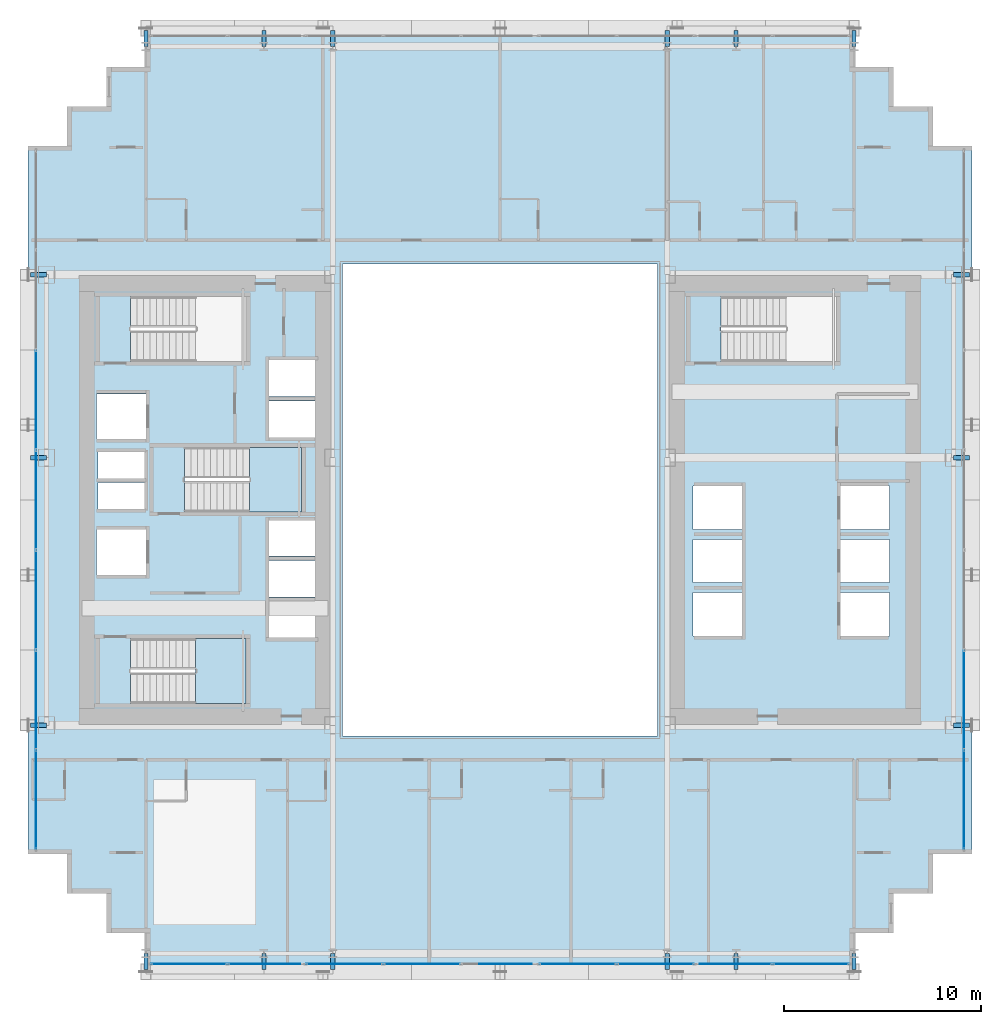
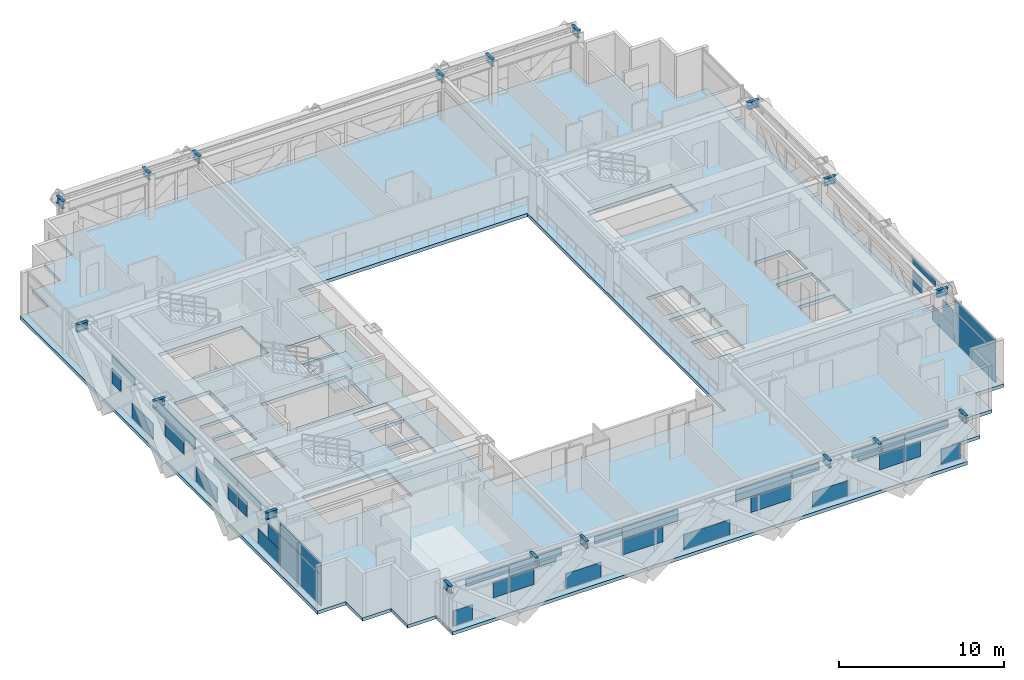
# One storey, part 23 of 35: 41 plates, 18 beams, 3 slabs, 5 elements without a shape of their own.
"""IFC4 building model written with IfcOpenShell, lengths in metres."""

from ifc_helpers import new_model, si_unit, direction, frame, origin, origin_2d, place, context, subcontext, project, spatial, polyline, rectangle, i_section, outline, extrude, source, transform, mapped, material, layer, layer_set, material_profile, profile_set, type_object, element, aggregate, save


model = new_model("IFC4")

# Units and contexts
model_context = context("Model", 3, precision=1e-05, world=origin(), true_north=direction((0.0, 1.0)))
body_context = subcontext(model_context, "Body", "Model", "MODEL_VIEW")
ifc_project = project(units=[si_unit("LENGTHUNIT", "METRE"), si_unit("AREAUNIT", "SQUARE_METRE"), si_unit("VOLUMEUNIT", "CUBIC_METRE"), si_unit("PLANEANGLEUNIT", "RADIAN"), si_unit("MASSUNIT", "GRAM", prefix="KILO")], contexts=[model_context])

# Site, building, storey
site_placement = place(None, origin())
site = spatial("IfcSite", under=ifc_project, at=site_placement, CompositionType="ELEMENT")
building_placement = place(site_placement, origin())
building = spatial("IfcBuilding", under=site, at=building_placement, Name="Ocotamira Hotel", CompositionType="ELEMENT")
storey_placement = place(building_placement, frame((0.0, 0.0, 81.60009765625)))
storey = spatial("IfcBuildingStorey", under=building, at=storey_placement, Name="L20", CompositionType="ELEMENT", Elevation=81.60009765625)

# Beams
ifc_material_1 = material(Name="Steel ASTM A992 Grade 50", Category="steel")
ifc_material_profile = material_profile(ifc_material_1, i_section(OverallWidth=0.2099609375, OverallDepth=0.537109375, WebThickness=0.010986328125, FlangeThickness=0.017333984375, FilletRadius=0.012939453125, at=origin_2d()), Name="W21X68")
ifc_profile_set = profile_set([ifc_material_profile], Name="Steel ASTM A992 Grade 50")
beam_type = type_object("IfcBeamType", Name="BM-SEC-W21X68", PredefinedType="JOIST", material=ifc_profile_set)
shared_shape_1 = source(origin(), body_context, "Body", "SweptSolid", [
    extrude(i_section(OverallWidth=0.2099609375, OverallDepth=0.537109375, WebThickness=0.010986328125, FlangeThickness=0.017333984375, FilletRadius=0.012939453125, at=origin_2d()), origin(), (0.0, 0.0, 1.0), 0.800048828125),
])
for number, where, z_axis, x_axis, name in (
    (1, (14.0, 2.949951171875, 3.011474609375), (0.0, -1.0, 0.0), (1.0, 0.0, 0.0), "L20 South Edge Header X14"),
    (2, (14.0, 49.050048828125, 3.011474609375), (0.0, 1.0, 0.0), (-1.0, 0.0, 0.0), "L20 North Edge Header X14"),
    (3, (20.0, 2.949951171875, 3.011474609375), (0.0, -1.0, 0.0), (1.0, 0.0, 0.0), "L20 South Edge Header X20"),
    (4, (20.0, 49.050048828125, 3.011474609375), (0.0, 1.0, 0.0), (-1.0, 0.0, 0.0), "L20 North Edge Header X20"),
    (5, (23.5, 2.949951171875, 3.011474609375), (0.0, -1.0, 0.0), (1.0, 0.0, 0.0), "L20 South Edge Header X23.5"),
    (6, (23.5, 49.050048828125, 3.011474609375), (0.0, 1.0, 0.0), (-1.0, 0.0, 0.0), "L20 North Edge Header X23.5"),
    (7, (40.5, 2.949951171875, 3.011474609375), (0.0, -1.0, 0.0), (1.0, 0.0, 0.0), "L20 South Edge Header X40.5"),
    (8, (40.5, 49.050048828125, 3.011474609375), (0.0, 1.0, 0.0), (-1.0, 0.0, 0.0), "L20 North Edge Header X40.5"),
    (9, (44.0, 2.949951171875, 3.011474609375), (0.0, -1.0, 0.0), (1.0, 0.0, 0.0), "L20 South Edge Header X44"),
    (10, (44.0, 49.050048828125, 3.011474609375), (0.0, 1.0, 0.0), (-1.0, 0.0, 0.0), "L20 North Edge Header X44"),
    (11, (50.0, 2.949951171875, 3.011474609375), (0.0, -1.0, 0.0), (1.0, 0.0, 0.0), "L20 South Edge Header X50"),
    (12, (50.0, 49.050048828125, 3.011474609375), (0.0, 1.0, 0.0), (-1.0, 0.0, 0.0), "L20 North Edge Header X50"),
    (13, (8.949951171875, 14.550048828125, 3.011474609375), (-1.0, 0.0, 0.0), (0.0, -1.0, 0.0), "L20 West Edge Header Y14.55"),
    (14, (55.050048828125, 14.550048828125, 3.011474609375), (1.0, 0.0, 0.0), (0.0, 1.0, 0.0), "L20 East Edge Header Y14.55"),
    (15, (8.949951171875, 28.14990234375, 3.011474609375), (-1.0, 0.0, 0.0), (0.0, -1.0, 0.0), "L20 West Edge Header Y28.15"),
    (16, (55.050048828125, 28.14990234375, 3.011474609375), (1.0, 0.0, 0.0), (0.0, 1.0, 0.0), "L20 East Edge Header Y28.15"),
    (17, (8.949951171875, 37.449951171875, 3.011474609375), (-1.0, 0.0, 0.0), (0.0, -1.0, 0.0), "L20 West Edge Header Y37.45"),
    (18, (55.050048828125, 37.449951171875, 3.011474609375), (1.0, 0.0, 0.0), (0.0, 1.0, 0.0), "L20 East Edge Header Y37.45"),
):
    element("IfcBeam", number, at=place(storey_placement, frame(where, z_axis=z_axis, x_axis=x_axis)), inside=storey, type_object=beam_type, Name=name, PredefinedType="JOIST", context=body_context, shape_type="MappedRepresentation", body=[
        mapped(shared_shape_1, transform((0.0, 0.0, 0.0), scale=1.0)),
    ])

# Stair, slab
ifc_material_2 = material(Name="Concrete C40/50", Category="concrete")
stair_type = type_object("IfcStairType", Name="ST-CORE-1560", PredefinedType="HALF_TURN_STAIR", material=ifc_material_2)
stair_1_placement = place(storey_placement, origin())
stair_1 = element("IfcStair", 19, at=stair_1_placement, inside=storey, type_object=stair_type, Name="L20 Exit Stair ST-1", PredefinedType="HALF_TURN_STAIR")
ifc_layer_1 = layer(ifc_material_2, 0.199951171875)
ifc_layer_set_1 = layer_set([ifc_layer_1], Name="Concrete C40/50")
slab_type_1 = type_object("IfcSlabType", Name="SLB-LAND-200", PredefinedType="LANDING", material=ifc_layer_set_1)
slab_1_placement = place(storey_placement, frame((0.0, 0.0, 1.599853515625)))
slab_1 = element("IfcSlab", 20, at=slab_1_placement, type_object=slab_type_1, Name="ST-1 landing 1", PredefinedType="LANDING", context=body_context, shape_type="SweptSolid", body=[
    extrude(outline(polyline([(16.530029296875, 15.669921875), (19.090087890625, 15.669921875), (19.090087890625, 18.949951171875), (16.530029296875, 18.949951171875), (16.530029296875, 15.669921875)])), origin(), (0.0, 0.0, 1.0), 0.199951171875),
])
aggregate(stair_1, [slab_1])

stair_2_placement = place(storey_placement, origin())
stair_2 = element("IfcStair", 21, at=stair_2_placement, inside=storey, type_object=stair_type, Name="L20 Exit Stair ST-3", PredefinedType="HALF_TURN_STAIR")
slab_2_placement = place(storey_placement, frame((0.0, 0.0, 1.599853515625)))
slab_2 = element("IfcSlab", 22, at=slab_2_placement, type_object=slab_type_1, Name="ST-3 landing 1", PredefinedType="LANDING", context=body_context, shape_type="SweptSolid", body=[
    extrude(outline(polyline([(19.260009765625, 25.39990234375), (21.919921875, 25.39990234375), (21.919921875, 28.679931640625), (19.260009765625, 28.679931640625), (19.260009765625, 25.39990234375)])), origin(), (0.0, 0.0, 1.0), 0.199951171875),
])
aggregate(stair_2, [slab_2])

# Slab
ifc_layer_2 = layer(ifc_material_2, 0.25)
ifc_layer_set_2 = layer_set([ifc_layer_2], Name="Concrete C40/50")
slab_type_2 = type_object("IfcSlabType", Name="SLB-Z1-250", PredefinedType="FLOOR", material=ifc_layer_set_2)
slab_3_placement = place(storey_placement, frame((0.0, 0.0, -0.25)))
element("IfcSlab", 23, at=slab_3_placement, inside=storey, type_object=slab_type_2, Name="L20 Structural Floor Slab", PredefinedType="FLOOR", context=body_context, shape_type="SweptSolid", body=[
    extrude(outline(polyline([(14.0, 2.0), (50.0, 2.0), (50.0, 4.0), (52.0, 4.0), (52.0, 6.0), (54.0, 6.0), (54.0, 8.0), (56.0, 8.0), (56.0, 44.0), (54.0, 44.0), (54.0, 46.0), (52.0, 46.0), (52.0, 48.0), (50.0, 48.0), (50.0, 50.0), (14.0, 50.0), (14.0, 48.0), (12.0, 48.0), (12.0, 46.0), (10.0, 46.0), (10.0, 44.0), (8.0, 44.0), (8.0, 8.0), (10.0, 8.0), (10.0, 6.0), (12.0, 6.0), (12.0, 4.0), (14.0, 4.0), (14.0, 2.0)]), holes=[polyline([(24.0, 14.0), (40.0, 14.0), (40.0, 38.0), (24.0, 38.0), (24.0, 14.0)]), polyline([(13.22998046875, 15.669921875), (19.090087890625, 15.669921875), (19.090087890625, 18.949951171875), (13.22998046875, 18.949951171875), (13.22998046875, 15.669921875)]), polyline([(13.22998046875, 33.050048828125), (19.090087890625, 33.050048828125), (19.090087890625, 36.330078125), (13.22998046875, 36.330078125), (13.22998046875, 33.050048828125)]), polyline([(15.9599609375, 25.39990234375), (21.919921875, 25.39990234375), (21.919921875, 28.679931640625), (15.9599609375, 28.679931640625), (15.9599609375, 25.39990234375)]), polyline([(43.22998046875, 33.050048828125), (49.090087890625, 33.050048828125), (49.090087890625, 36.330078125), (43.22998046875, 36.330078125), (43.22998046875, 33.050048828125)]), polyline([(49.300048828125, 19.10009765625), (51.800048828125, 19.10009765625), (51.800048828125, 21.300048828125), (49.300048828125, 21.300048828125), (49.300048828125, 19.10009765625)]), polyline([(49.300048828125, 21.800048828125), (51.800048828125, 21.800048828125), (51.800048828125, 24.0), (49.300048828125, 24.0), (49.300048828125, 21.800048828125)]), polyline([(49.300048828125, 24.5), (51.800048828125, 24.5), (51.800048828125, 26.699951171875), (49.300048828125, 26.699951171875), (49.300048828125, 24.5)]), polyline([(41.800048828125, 19.10009765625), (44.300048828125, 19.10009765625), (44.300048828125, 21.300048828125), (41.800048828125, 21.300048828125), (41.800048828125, 19.10009765625)]), polyline([(41.800048828125, 21.800048828125), (44.300048828125, 21.800048828125), (44.300048828125, 24.0), (41.800048828125, 24.0), (41.800048828125, 21.800048828125)]), polyline([(41.800048828125, 24.5), (44.300048828125, 24.5), (44.300048828125, 26.699951171875), (41.800048828125, 26.699951171875), (41.800048828125, 24.5)]), polyline([(20.25, 19.0), (22.659912109375, 19.0), (22.659912109375, 20.85009765625), (20.25, 20.85009765625), (20.25, 19.0)]), polyline([(20.25, 21.080078125), (22.659912109375, 21.080078125), (22.659912109375, 22.929931640625), (20.25, 22.929931640625), (20.25, 21.080078125)]), polyline([(20.25, 23.159912109375), (22.659912109375, 23.159912109375), (22.659912109375, 24.9599609375), (20.25, 24.9599609375), (20.25, 23.159912109375)]), polyline([(20.25, 29.179931640625), (22.659912109375, 29.179931640625), (22.659912109375, 31.030029296875), (20.25, 31.030029296875), (20.25, 29.179931640625)]), polyline([(20.25, 31.260009765625), (22.659912109375, 31.260009765625), (22.659912109375, 33.110107421875), (20.25, 33.110107421875), (20.25, 31.260009765625)]), polyline([(11.5, 22.199951171875), (14.0, 22.199951171875), (14.0, 24.5), (11.5, 24.5), (11.5, 22.199951171875)]), polyline([(11.5, 29.10009765625), (14.0, 29.10009765625), (14.0, 31.39990234375), (11.5, 31.39990234375), (11.5, 29.10009765625)]), polyline([(11.580078125, 25.550048828125), (13.919921875, 25.550048828125), (13.919921875, 26.89990234375), (11.580078125, 26.89990234375), (11.580078125, 25.550048828125)]), polyline([(11.580078125, 27.10009765625), (13.919921875, 27.10009765625), (13.919921875, 28.449951171875), (11.580078125, 28.449951171875), (11.580078125, 27.10009765625)])]), origin(), (0.0, 0.0, 1.0), 0.25),
])

# Curtain wall, plate
ifc_material_3 = material(Name="Anodised pale-metal aluminium and solar glass", Category="aluminium")
ifc_layer_3 = layer(ifc_material_3, 0.179931640625)
ifc_layer_set_3 = layer_set([ifc_layer_3], Name="Anodised pale-metal aluminium and solar glass")
curtain_wall_type = type_object("IfcCurtainWallType", Name="CW-SYS2-Z1", PredefinedType="NOTDEFINED", material=ifc_layer_set_3)
curtain_wall_1_placement = place(storey_placement, origin())
curtain_wall_1 = element("IfcCurtainWall", 24, at=curtain_wall_1_placement, inside=storey, type_object=curtain_wall_type, Name="L20 Curtain Wall CW-2 CW-L20-W", PredefinedType="NOTDEFINED")
ifc_material_4 = material(Name="Double-silver low-E insulated solar glass", Category="glass")
ifc_layer_4 = layer(ifc_material_4, 0.031982421875)
ifc_layer_set_4 = layer_set([ifc_layer_4], Name="Double-silver low-E insulated solar glass")
plate_type = type_object("IfcPlateType", Name="CWP-VISION-32", PredefinedType="CURTAIN_PANEL", material=ifc_layer_set_4)
shared_shape_2 = source(origin(), body_context, "Body", "SweptSolid", [
    extrude(rectangle(XDim=4.9658203125, YDim=0.031982421875, at=origin_2d()), origin(), (0.0, 0.0, 1.0), 2.237548828125),
])
plate_1_placement = place(storey_placement, frame((8.419921875, 10.762939453125, 0.07470703125), z_axis=(0.0, 0.0, 1.0), x_axis=(0.0, 1.0, 0.0)))
plate_1 = element("IfcPlate", 25, at=plate_1_placement, type_object=plate_type, Name="CW-2 panel 1.1", PredefinedType="CURTAIN_PANEL", context=body_context, shape_type="MappedRepresentation", body=[
    mapped(shared_shape_2, transform((0.0, 0.0, 0.0), scale=1.0)),
])

curtain_wall_2_placement = place(storey_placement, origin())
curtain_wall_2 = element("IfcCurtainWall", 26, at=curtain_wall_2_placement, inside=storey, type_object=curtain_wall_type, Name="L20 Curtain Wall CW-2 CW-L20-E", PredefinedType="NOTDEFINED")
plate_2_placement = place(storey_placement, frame((55.580078125, 10.762939453125, 0.07470703125), z_axis=(0.0, 0.0, 1.0), x_axis=(0.0, 1.0, 0.0)))
plate_2 = element("IfcPlate", 27, at=plate_2_placement, type_object=plate_type, Name="CW-2 panel 1.1", PredefinedType="CURTAIN_PANEL", context=body_context, shape_type="MappedRepresentation", body=[
    mapped(shared_shape_2, transform((0.0, 0.0, 0.0), scale=1.0)),
])

# Curtain wall, plates
curtain_wall_3_placement = place(storey_placement, origin())
curtain_wall_3 = element("IfcCurtainWall", 28, at=curtain_wall_3_placement, inside=storey, type_object=curtain_wall_type, Name="L20 Curtain Wall CW-2 CW-L20-S1", PredefinedType="NOTDEFINED")
shared_shape_3 = source(origin(), body_context, "Body", "SweptSolid", [
    extrude(rectangle(XDim=1.331787109375, YDim=0.031982421875, at=origin_2d()), origin(), (0.0, 0.0, 1.0), 1.118896484375),
])
plate_3_placement = place(storey_placement, frame((14.94580078125, 2.419921875, 0.07470703125), z_axis=(0.0, 0.0, 1.0), x_axis=(1.0, 0.0, 0.0)))
plate_3 = element("IfcPlate", 29, at=plate_3_placement, type_object=plate_type, Name="CW-2 panel 1.1.1", PredefinedType="CURTAIN_PANEL", context=body_context, shape_type="MappedRepresentation", body=[
    mapped(shared_shape_3, transform((0.0, 0.0, 0.0), scale=1.0)),
])
plate_4_placement = place(storey_placement, frame((49.05419921875, 2.419921875, 0.07470703125), z_axis=(0.0, 0.0, 1.0), x_axis=(1.0, 0.0, 0.0)))
plate_4 = element("IfcPlate", 30, at=plate_4_placement, type_object=plate_type, Name="CW-2 panel 9.1.2", PredefinedType="CURTAIN_PANEL", context=body_context, shape_type="MappedRepresentation", body=[
    mapped(shared_shape_3, transform((0.0, 0.0, 0.0), scale=1.0)),
])
shared_shape_4 = source(origin(), body_context, "Body", "SweptSolid", [
    extrude(rectangle(XDim=1.045654296875, YDim=0.031982421875, at=origin_2d()), origin(), (0.0, 0.0, 1.0), 1.11865234375),
])
plate_5_placement = place(storey_placement, frame((17.5927734375, 2.419921875, 1.193603515625), z_axis=(0.0, 0.0, 1.0), x_axis=(1.0, 0.0, 0.0)))
plate_5 = element("IfcPlate", 31, at=plate_5_placement, type_object=plate_type, Name="CW-2 panel 1.1.2", PredefinedType="CURTAIN_PANEL", context=body_context, shape_type="MappedRepresentation", body=[
    mapped(shared_shape_4, transform((0.0, 0.0, 0.0), scale=1.0)),
])
plate_6_placement = place(storey_placement, frame((46.4072265625, 2.419921875, 1.193603515625), z_axis=(0.0, 0.0, 1.0), x_axis=(1.0, 0.0, 0.0)))
plate_6 = element("IfcPlate", 32, at=plate_6_placement, type_object=plate_type, Name="CW-2 panel 9.1.1", PredefinedType="CURTAIN_PANEL", context=body_context, shape_type="MappedRepresentation", body=[
    mapped(shared_shape_4, transform((0.0, 0.0, 0.0), scale=1.0)),
])
shared_shape_5 = source(origin(), body_context, "Body", "SweptSolid", [
    extrude(rectangle(XDim=2.954833984375, YDim=0.031982421875, at=origin_2d()), origin(), (0.0, 0.0, 1.0), 0.513671875),
])
plate_7_placement = place(storey_placement, frame((16.63818359375, 2.419921875, 2.691162109375), z_axis=(0.0, 0.0, 1.0), x_axis=(1.0, 0.0, 0.0)))
plate_7 = element("IfcPlate", 33, at=plate_7_placement, type_object=plate_type, Name="CW-2 panel 1.2.1", PredefinedType="CURTAIN_PANEL", context=body_context, shape_type="MappedRepresentation", body=[
    mapped(shared_shape_5, transform((0.0, 0.0, 0.0), scale=1.0)),
])
plate_8_placement = place(storey_placement, frame((47.36181640625, 2.419921875, 2.691162109375), z_axis=(0.0, 0.0, 1.0), x_axis=(1.0, 0.0, 0.0)))
plate_8 = element("IfcPlate", 34, at=plate_8_placement, type_object=plate_type, Name="CW-2 panel 9.2.1", PredefinedType="CURTAIN_PANEL", context=body_context, shape_type="MappedRepresentation", body=[
    mapped(shared_shape_5, transform((0.0, 0.0, 0.0), scale=1.0)),
])
shared_shape_6 = source(origin(), body_context, "Body", "SweptSolid", [
    extrude(rectangle(XDim=1.734619140625, YDim=0.031982421875, at=origin_2d()), origin(), (0.0, 0.0, 1.0), 1.11865234375),
])
plate_9_placement = place(storey_placement, frame((19.062744140625, 2.419921875, 1.193603515625), z_axis=(0.0, 0.0, 1.0), x_axis=(1.0, 0.0, 0.0)))
plate_9 = element("IfcPlate", 35, at=plate_9_placement, type_object=plate_type, Name="CW-2 panel 2.1.1", PredefinedType="CURTAIN_PANEL", context=body_context, shape_type="MappedRepresentation", body=[
    mapped(shared_shape_6, transform((0.0, 0.0, 0.0), scale=1.0)),
])
plate_10_placement = place(storey_placement, frame((44.937255859375, 2.419921875, 1.193603515625), z_axis=(0.0, 0.0, 1.0), x_axis=(1.0, 0.0, 0.0)))
plate_10 = element("IfcPlate", 36, at=plate_10_placement, type_object=plate_type, Name="CW-2 panel 8.1.1", PredefinedType="CURTAIN_PANEL", context=body_context, shape_type="MappedRepresentation", body=[
    mapped(shared_shape_6, transform((0.0, 0.0, 0.0), scale=1.0)),
])
shared_shape_7 = source(origin(), body_context, "Body", "SweptSolid", [
    extrude(rectangle(XDim=3.25634765625, YDim=0.031982421875, at=origin_2d()), origin(), (0.0, 0.0, 1.0), 0.303955078125),
])
plate_11_placement = place(storey_placement, frame((19.82373046875, 2.419921875, 2.38720703125), z_axis=(0.0, 0.0, 1.0), x_axis=(1.0, 0.0, 0.0)))
plate_11 = element("IfcPlate", 37, at=plate_11_placement, type_object=plate_type, Name="CW-2 panel 2.2.1", PredefinedType="CURTAIN_PANEL", context=body_context, shape_type="MappedRepresentation", body=[
    mapped(shared_shape_7, transform((0.0, 0.0, 0.0), scale=1.0)),
])
plate_12_placement = place(storey_placement, frame((44.17626953125, 2.419921875, 2.38720703125), z_axis=(0.0, 0.0, 1.0), x_axis=(1.0, 0.0, 0.0)))
plate_12 = element("IfcPlate", 38, at=plate_12_placement, type_object=plate_type, Name="CW-2 panel 8.2.2", PredefinedType="CURTAIN_PANEL", context=body_context, shape_type="MappedRepresentation", body=[
    mapped(shared_shape_7, transform((0.0, 0.0, 0.0), scale=1.0)),
])
shared_shape_8 = source(origin(), body_context, "Body", "SweptSolid", [
    extrude(rectangle(XDim=3.643798828125, YDim=0.031982421875, at=origin_2d()), origin(), (0.0, 0.0, 1.0), 0.513671875),
])
plate_13_placement = place(storey_placement, frame((20.017333984375, 2.419921875, 2.691162109375), z_axis=(0.0, 0.0, 1.0), x_axis=(1.0, 0.0, 0.0)))
plate_13 = element("IfcPlate", 39, at=plate_13_placement, type_object=plate_type, Name="CW-2 panel 2.2.2", PredefinedType="CURTAIN_PANEL", context=body_context, shape_type="MappedRepresentation", body=[
    mapped(shared_shape_8, transform((0.0, 0.0, 0.0), scale=1.0)),
])
plate_14_placement = place(storey_placement, frame((43.982666015625, 2.419921875, 2.691162109375), z_axis=(0.0, 0.0, 1.0), x_axis=(1.0, 0.0, 0.0)))
plate_14 = element("IfcPlate", 40, at=plate_14_placement, type_object=plate_type, Name="CW-2 panel 8.2.1", PredefinedType="CURTAIN_PANEL", context=body_context, shape_type="MappedRepresentation", body=[
    mapped(shared_shape_8, transform((0.0, 0.0, 0.0), scale=1.0)),
])
shared_shape_9 = source(origin(), body_context, "Body", "SweptSolid", [
    extrude(rectangle(XDim=2.460693359375, YDim=0.031982421875, at=origin_2d()), origin(), (0.0, 0.0, 1.0), 1.118896484375),
])
plate_15_placement = place(storey_placement, frame((23.38134765625, 2.419921875, 0.07470703125), z_axis=(0.0, 0.0, 1.0), x_axis=(1.0, 0.0, 0.0)))
plate_15 = element("IfcPlate", 41, at=plate_15_placement, type_object=plate_type, Name="CW-2 panel 3.1.1", PredefinedType="CURTAIN_PANEL", context=body_context, shape_type="MappedRepresentation", body=[
    mapped(shared_shape_9, transform((0.0, 0.0, 0.0), scale=1.0)),
])
plate_16_placement = place(storey_placement, frame((40.61865234375, 2.419921875, 0.07470703125), z_axis=(0.0, 0.0, 1.0), x_axis=(1.0, 0.0, 0.0)))
plate_16 = element("IfcPlate", 42, at=plate_16_placement, type_object=plate_type, Name="CW-2 panel 7.1.1", PredefinedType="CURTAIN_PANEL", context=body_context, shape_type="MappedRepresentation", body=[
    mapped(shared_shape_9, transform((0.0, 0.0, 0.0), scale=1.0)),
])
shared_shape_10 = source(origin(), body_context, "Body", "SweptSolid", [
    extrude(rectangle(XDim=1.865966796875, YDim=0.031982421875, at=origin_2d()), origin(), (0.0, 0.0, 1.0), 0.513671875),
])
plate_17_placement = place(storey_placement, frame((25.09375, 2.419921875, 2.691162109375), z_axis=(0.0, 0.0, 1.0), x_axis=(1.0, 0.0, 0.0)))
plate_17 = element("IfcPlate", 43, at=plate_17_placement, type_object=plate_type, Name="CW-2 panel 3.2.1", PredefinedType="CURTAIN_PANEL", context=body_context, shape_type="MappedRepresentation", body=[
    mapped(shared_shape_10, transform((0.0, 0.0, 0.0), scale=1.0)),
])
plate_18_placement = place(storey_placement, frame((38.90625, 2.419921875, 2.691162109375), z_axis=(0.0, 0.0, 1.0), x_axis=(1.0, 0.0, 0.0)))
plate_18 = element("IfcPlate", 44, at=plate_18_placement, type_object=plate_type, Name="CW-2 panel 7.2.1", PredefinedType="CURTAIN_PANEL", context=body_context, shape_type="MappedRepresentation", body=[
    mapped(shared_shape_10, transform((0.0, 0.0, 0.0), scale=1.0)),
])
shared_shape_11 = source(origin(), body_context, "Body", "SweptSolid", [
    extrude(rectangle(XDim=2.823486328125, YDim=0.031982421875, at=origin_2d()), origin(), (0.0, 0.0, 1.0), 1.11865234375),
])
plate_19_placement = place(storey_placement, frame((27.518310546875, 2.419921875, 1.193603515625), z_axis=(0.0, 0.0, 1.0), x_axis=(1.0, 0.0, 0.0)))
plate_19 = element("IfcPlate", 45, at=plate_19_placement, type_object=plate_type, Name="CW-2 panel 4.1.1", PredefinedType="CURTAIN_PANEL", context=body_context, shape_type="MappedRepresentation", body=[
    mapped(shared_shape_11, transform((0.0, 0.0, 0.0), scale=1.0)),
])
plate_20_placement = place(storey_placement, frame((36.481689453125, 2.419921875, 1.193603515625), z_axis=(0.0, 0.0, 1.0), x_axis=(1.0, 0.0, 0.0)))
plate_20 = element("IfcPlate", 46, at=plate_20_placement, type_object=plate_type, Name="CW-2 panel 6.1.1", PredefinedType="CURTAIN_PANEL", context=body_context, shape_type="MappedRepresentation", body=[
    mapped(shared_shape_11, transform((0.0, 0.0, 0.0), scale=1.0)),
])
shared_shape_12 = source(origin(), body_context, "Body", "SweptSolid", [
    extrude(rectangle(XDim=3.87548828125, YDim=0.031982421875, at=origin_2d()), origin(), (0.0, 0.0, 1.0), 0.8173828125),
])
plate_21_placement = place(storey_placement, frame((28.04443359375, 2.419921875, 2.387451171875), z_axis=(0.0, 0.0, 1.0), x_axis=(1.0, 0.0, 0.0)))
plate_21 = element("IfcPlate", 47, at=plate_21_placement, type_object=plate_type, Name="CW-2 panel 4.2", PredefinedType="CURTAIN_PANEL", context=body_context, shape_type="MappedRepresentation", body=[
    mapped(shared_shape_12, transform((0.0, 0.0, 0.0), scale=1.0)),
])
plate_22_placement = place(storey_placement, frame((35.95556640625, 2.419921875, 2.387451171875), z_axis=(0.0, 0.0, 1.0), x_axis=(1.0, 0.0, 0.0)))
plate_22 = element("IfcPlate", 48, at=plate_22_placement, type_object=plate_type, Name="CW-2 panel 6.2", PredefinedType="CURTAIN_PANEL", context=body_context, shape_type="MappedRepresentation", body=[
    mapped(shared_shape_12, transform((0.0, 0.0, 0.0), scale=1.0)),
])
shared_shape_13 = source(origin(), body_context, "Body", "SweptSolid", [
    extrude(rectangle(XDim=3.223388671875, YDim=0.031982421875, at=origin_2d()), origin(), (0.0, 0.0, 1.0), 1.118896484375),
])
plate_23_placement = place(storey_placement, frame((32.0, 2.419921875, 0.07470703125), z_axis=(0.0, 0.0, 1.0), x_axis=(1.0, 0.0, 0.0)))
plate_23 = element("IfcPlate", 49, at=plate_23_placement, type_object=plate_type, Name="CW-2 panel 5.1.1", PredefinedType="CURTAIN_PANEL", context=body_context, shape_type="MappedRepresentation", body=[
    mapped(shared_shape_13, transform((0.0, 0.0, 0.0), scale=1.0)),
])
aggregate(curtain_wall_3, [plate_3, plate_5, plate_7, plate_9, plate_11, plate_13, plate_15, plate_17, plate_19, plate_21, plate_23, plate_20, plate_22, plate_16, plate_18, plate_10, plate_14, plate_12, plate_6, plate_4, plate_8])

# Plate
shared_shape_14 = source(origin(), body_context, "Body", "SweptSolid", [
    extrude(rectangle(XDim=4.9658203125, YDim=0.031982421875, at=origin_2d()), origin(), (0.0, 0.0, 1.0), 0.8173828125),
])
plate_24_placement = place(storey_placement, frame((8.419921875, 10.762939453125, 2.387451171875), z_axis=(0.0, 0.0, 1.0), x_axis=(0.0, 1.0, 0.0)))
plate_24 = element("IfcPlate", 50, at=plate_24_placement, type_object=plate_type, Name="CW-2 panel 1.2", PredefinedType="CURTAIN_PANEL", context=body_context, shape_type="MappedRepresentation", body=[
    mapped(shared_shape_14, transform((0.0, 0.0, 0.0), scale=1.0)),
])

plate_25_placement = place(storey_placement, frame((55.580078125, 10.762939453125, 2.387451171875), z_axis=(0.0, 0.0, 1.0), x_axis=(0.0, 1.0, 0.0)))
plate_25 = element("IfcPlate", 51, at=plate_25_placement, type_object=plate_type, Name="CW-2 panel 1.2", PredefinedType="CURTAIN_PANEL", context=body_context, shape_type="MappedRepresentation", body=[
    mapped(shared_shape_14, transform((0.0, 0.0, 0.0), scale=1.0)),
])

shared_shape_15 = source(origin(), body_context, "Body", "SweptSolid", [
    extrude(rectangle(XDim=2.546875, YDim=0.031982421875, at=origin_2d()), origin(), (0.0, 0.0, 1.0), 1.118896484375),
])
plate_26_placement = place(storey_placement, frame((8.419921875, 14.59912109375, 0.07470703125), z_axis=(0.0, 0.0, 1.0), x_axis=(0.0, 1.0, 0.0)))
plate_26 = element("IfcPlate", 52, at=plate_26_placement, type_object=plate_type, Name="CW-2 panel 2.1.1", PredefinedType="CURTAIN_PANEL", context=body_context, shape_type="MappedRepresentation", body=[
    mapped(shared_shape_15, transform((0.0, 0.0, 0.0), scale=1.0)),
])

plate_27_placement = place(storey_placement, frame((55.580078125, 14.59912109375, 0.07470703125), z_axis=(0.0, 0.0, 1.0), x_axis=(0.0, 1.0, 0.0)))
plate_27 = element("IfcPlate", 53, at=plate_27_placement, type_object=plate_type, Name="CW-2 panel 2.1.1", PredefinedType="CURTAIN_PANEL", context=body_context, shape_type="MappedRepresentation", body=[
    mapped(shared_shape_15, transform((0.0, 0.0, 0.0), scale=1.0)),
])

shared_shape_16 = source(origin(), body_context, "Body", "SweptSolid", [
    extrude(rectangle(XDim=1.33740234375, YDim=0.031982421875, at=origin_2d()), origin(), (0.0, 0.0, 1.0), 1.11865234375),
])
plate_28_placement = place(storey_placement, frame((8.419921875, 13.994384765625, 1.193603515625), z_axis=(0.0, 0.0, 1.0), x_axis=(0.0, 1.0, 0.0)))
plate_28 = element("IfcPlate", 54, at=plate_28_placement, type_object=plate_type, Name="CW-2 panel 2.1.2", PredefinedType="CURTAIN_PANEL", context=body_context, shape_type="MappedRepresentation", body=[
    mapped(shared_shape_16, transform((0.0, 0.0, 0.0), scale=1.0)),
])

plate_29_placement = place(storey_placement, frame((55.580078125, 13.994384765625, 1.193603515625), z_axis=(0.0, 0.0, 1.0), x_axis=(0.0, 1.0, 0.0)))
plate_29 = element("IfcPlate", 55, at=plate_29_placement, type_object=plate_type, Name="CW-2 panel 2.1.2", PredefinedType="CURTAIN_PANEL", context=body_context, shape_type="MappedRepresentation", body=[
    mapped(shared_shape_16, transform((0.0, 0.0, 0.0), scale=1.0)),
])

shared_shape_17 = source(origin(), body_context, "Body", "SweptSolid", [
    extrude(rectangle(XDim=1.13330078125, YDim=0.031982421875, at=origin_2d()), origin(), (0.0, 0.0, 1.0), 1.11865234375),
])
plate_30_placement = place(storey_placement, frame((8.419921875, 17.7646484375, 1.193603515625), z_axis=(0.0, 0.0, 1.0), x_axis=(0.0, 1.0, 0.0)))
plate_30 = element("IfcPlate", 56, at=plate_30_placement, type_object=plate_type, Name="CW-2 panel 2.1.3", PredefinedType="CURTAIN_PANEL", context=body_context, shape_type="MappedRepresentation", body=[
    mapped(shared_shape_17, transform((0.0, 0.0, 0.0), scale=1.0)),
])

plate_31_placement = place(storey_placement, frame((55.580078125, 17.7646484375, 1.193603515625), z_axis=(0.0, 0.0, 1.0), x_axis=(0.0, 1.0, 0.0)))
plate_31 = element("IfcPlate", 57, at=plate_31_placement, type_object=plate_type, Name="CW-2 panel 2.1.3", PredefinedType="CURTAIN_PANEL", context=body_context, shape_type="MappedRepresentation", body=[
    mapped(shared_shape_17, transform((0.0, 0.0, 0.0), scale=1.0)),
])

shared_shape_18 = source(origin(), body_context, "Body", "SweptSolid", [
    extrude(rectangle(XDim=2.77978515625, YDim=0.031982421875, at=origin_2d()), origin(), (0.0, 0.0, 1.0), 0.48828125),
])
plate_32_placement = place(storey_placement, frame((8.419921875, 16.94140625, 2.716552734375), z_axis=(0.0, 0.0, 1.0), x_axis=(0.0, 1.0, 0.0)))
plate_32 = element("IfcPlate", 58, at=plate_32_placement, type_object=plate_type, Name="CW-2 panel 2.2.1", PredefinedType="CURTAIN_PANEL", context=body_context, shape_type="MappedRepresentation", body=[
    mapped(shared_shape_18, transform((0.0, 0.0, 0.0), scale=1.0)),
])

plate_33_placement = place(storey_placement, frame((55.580078125, 16.94140625, 2.716552734375), z_axis=(0.0, 0.0, 1.0), x_axis=(0.0, 1.0, 0.0)))
plate_33 = element("IfcPlate", 59, at=plate_33_placement, type_object=plate_type, Name="CW-2 panel 2.2.1", PredefinedType="CURTAIN_PANEL", context=body_context, shape_type="MappedRepresentation", body=[
    mapped(shared_shape_18, transform((0.0, 0.0, 0.0), scale=1.0)),
])

aggregate(curtain_wall_2, [plate_2, plate_25, plate_27, plate_29, plate_31, plate_33])

shared_shape_19 = source(origin(), body_context, "Body", "SweptSolid", [
    extrude(rectangle(XDim=1.123779296875, YDim=0.031982421875, at=origin_2d()), origin(), (0.0, 0.0, 1.0), 1.11865234375),
])
plate_34_placement = place(storey_placement, frame((8.419921875, 18.973388671875, 1.193603515625), z_axis=(0.0, 0.0, 1.0), x_axis=(0.0, 1.0, 0.0)))
plate_34 = element("IfcPlate", 60, at=plate_34_placement, type_object=plate_type, Name="CW-2 panel 3.1.1", PredefinedType="CURTAIN_PANEL", context=body_context, shape_type="MappedRepresentation", body=[
    mapped(shared_shape_19, transform((0.0, 0.0, 0.0), scale=1.0)),
])

plate_35_placement = place(storey_placement, frame((8.419921875, 33.026611328125, 1.193603515625), z_axis=(0.0, 0.0, 1.0), x_axis=(0.0, 1.0, 0.0)))
plate_35 = element("IfcPlate", 61, at=plate_35_placement, type_object=plate_type, Name="CW-2 panel 5.1.2", PredefinedType="CURTAIN_PANEL", context=body_context, shape_type="MappedRepresentation", body=[
    mapped(shared_shape_19, transform((0.0, 0.0, 0.0), scale=1.0)),
])

shared_shape_20 = source(origin(), body_context, "Body", "SweptSolid", [
    extrude(rectangle(XDim=2.556396484375, YDim=0.031982421875, at=origin_2d()), origin(), (0.0, 0.0, 1.0), 1.118896484375),
])
plate_36_placement = place(storey_placement, frame((8.419921875, 22.138916015625, 0.07470703125), z_axis=(0.0, 0.0, 1.0), x_axis=(0.0, 1.0, 0.0)))
plate_36 = element("IfcPlate", 62, at=plate_36_placement, type_object=plate_type, Name="CW-2 panel 3.1.2", PredefinedType="CURTAIN_PANEL", context=body_context, shape_type="MappedRepresentation", body=[
    mapped(shared_shape_20, transform((0.0, 0.0, 0.0), scale=1.0)),
])

plate_37_placement = place(storey_placement, frame((8.419921875, 29.861083984375, 0.07470703125), z_axis=(0.0, 0.0, 1.0), x_axis=(0.0, 1.0, 0.0)))
plate_37 = element("IfcPlate", 63, at=plate_37_placement, type_object=plate_type, Name="CW-2 panel 5.1.1", PredefinedType="CURTAIN_PANEL", context=body_context, shape_type="MappedRepresentation", body=[
    mapped(shared_shape_20, transform((0.0, 0.0, 0.0), scale=1.0)),
])

shared_shape_21 = source(origin(), body_context, "Body", "SweptSolid", [
    extrude(rectangle(XDim=2.770263671875, YDim=0.031982421875, at=origin_2d()), origin(), (0.0, 0.0, 1.0), 0.48828125),
])
plate_38_placement = place(storey_placement, frame((8.419921875, 19.796630859375, 2.716552734375), z_axis=(0.0, 0.0, 1.0), x_axis=(0.0, 1.0, 0.0)))
plate_38 = element("IfcPlate", 64, at=plate_38_placement, type_object=plate_type, Name="CW-2 panel 3.2.1", PredefinedType="CURTAIN_PANEL", context=body_context, shape_type="MappedRepresentation", body=[
    mapped(shared_shape_21, transform((0.0, 0.0, 0.0), scale=1.0)),
])

plate_39_placement = place(storey_placement, frame((8.419921875, 32.203369140625, 2.716552734375), z_axis=(0.0, 0.0, 1.0), x_axis=(0.0, 1.0, 0.0)))
plate_39 = element("IfcPlate", 65, at=plate_39_placement, type_object=plate_type, Name="CW-2 panel 5.2.1", PredefinedType="CURTAIN_PANEL", context=body_context, shape_type="MappedRepresentation", body=[
    mapped(shared_shape_21, transform((0.0, 0.0, 0.0), scale=1.0)),
])

shared_shape_22 = source(origin(), body_context, "Body", "SweptSolid", [
    extrude(rectangle(XDim=2.337158203125, YDim=0.031982421875, at=origin_2d()), origin(), (0.0, 0.0, 1.0), 1.11865234375),
])
plate_40_placement = place(storey_placement, frame((8.419921875, 26.0, 1.193603515625), z_axis=(0.0, 0.0, 1.0), x_axis=(0.0, 1.0, 0.0)))
plate_40 = element("IfcPlate", 66, at=plate_40_placement, type_object=plate_type, Name="CW-2 panel 4.1.1", PredefinedType="CURTAIN_PANEL", context=body_context, shape_type="MappedRepresentation", body=[
    mapped(shared_shape_22, transform((0.0, 0.0, 0.0), scale=1.0)),
])

shared_shape_23 = source(origin(), body_context, "Body", "SweptSolid", [
    extrude(rectangle(XDim=5.005615234375, YDim=0.031982421875, at=origin_2d()), origin(), (0.0, 0.0, 1.0), 0.8173828125),
])
plate_41_placement = place(storey_placement, frame((8.419921875, 26.0, 2.387451171875), z_axis=(0.0, 0.0, 1.0), x_axis=(0.0, 1.0, 0.0)))
plate_41 = element("IfcPlate", 67, at=plate_41_placement, type_object=plate_type, Name="CW-2 panel 4.2", PredefinedType="CURTAIN_PANEL", context=body_context, shape_type="MappedRepresentation", body=[
    mapped(shared_shape_23, transform((0.0, 0.0, 0.0), scale=1.0)),
])

aggregate(curtain_wall_1, [plate_1, plate_24, plate_26, plate_28, plate_30, plate_32, plate_34, plate_36, plate_38, plate_40, plate_41, plate_37, plate_35, plate_39])

save(model, "model.ifc")
